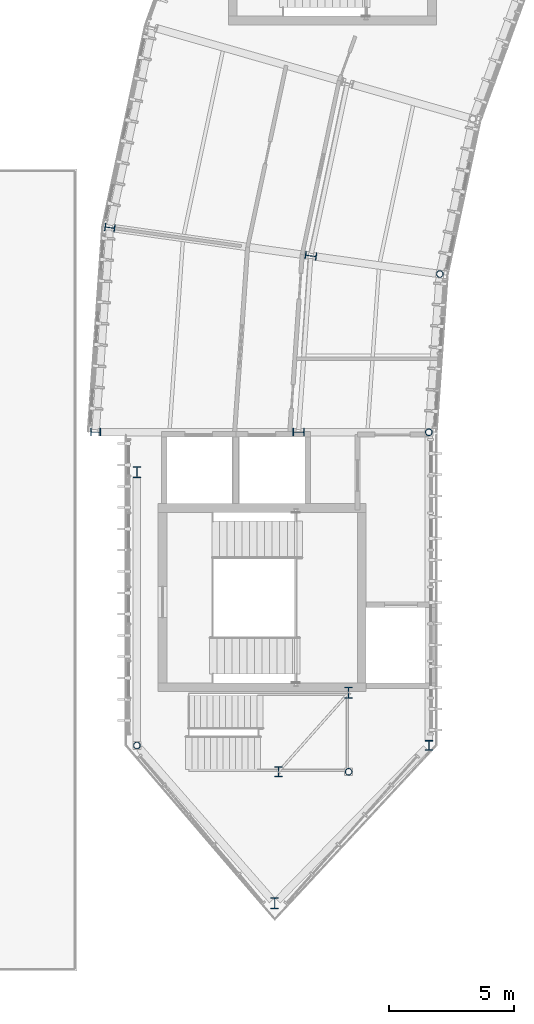
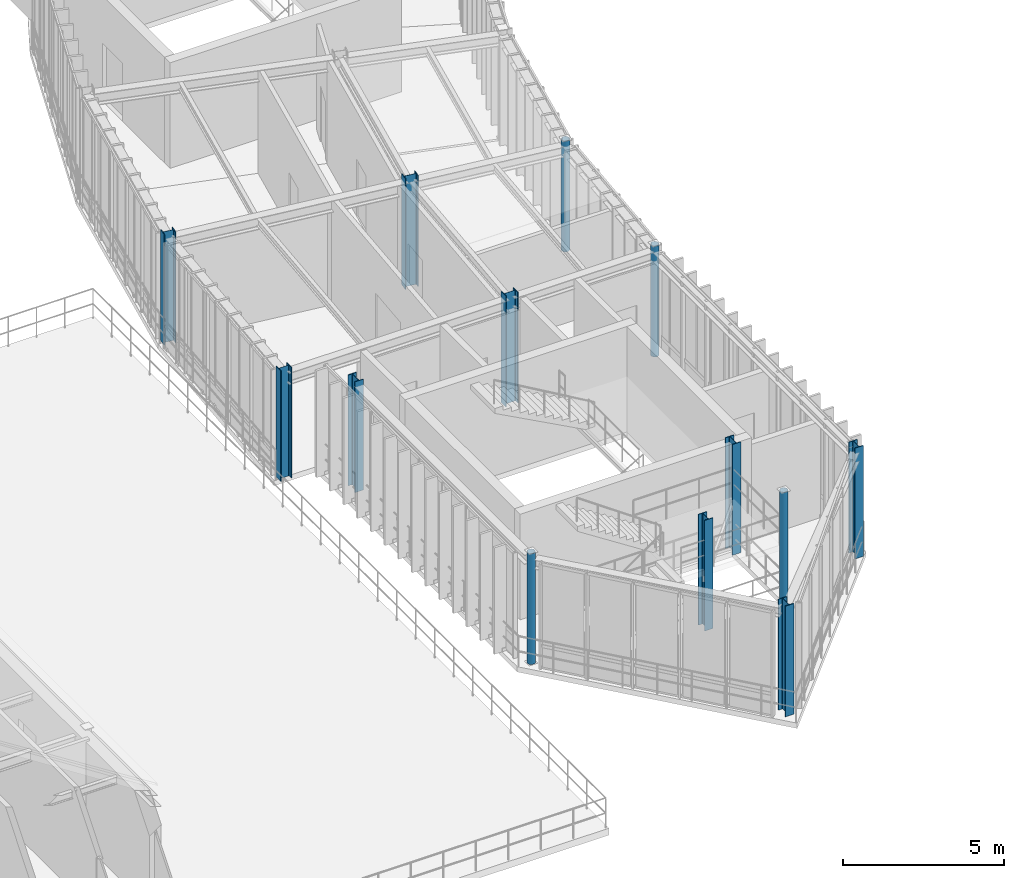
# One storey, part 2 of 52: 13 columns.
"""IFC4 building model written with IfcOpenShell, lengths in metres."""

from ifc_helpers import new_model, si_unit, direction, frame, origin, origin_2d, place, context, subcontext, project, spatial, hollow_circle, i_section, extrude, material, material_profile, profile_set, type_object, element, save


model = new_model("IFC4")

# Units and contexts
model_context = context("Model", 3, precision=1e-05, world=origin(), true_north=direction((0.0, 1.0)))
body_context = subcontext(model_context, "Body", "Model", "MODEL_VIEW")
ifc_project = project(units=[si_unit("LENGTHUNIT", "METRE"), si_unit("AREAUNIT", "SQUARE_METRE"), si_unit("VOLUMEUNIT", "CUBIC_METRE"), si_unit("PLANEANGLEUNIT", "RADIAN"), si_unit("MASSUNIT", "GRAM", prefix="KILO"), si_unit("THERMODYNAMICTEMPERATUREUNIT", "KELVIN"), si_unit("POWERUNIT", "WATT")], contexts=[model_context])

# Site, building, storey
site_placement = place(None, origin())
site = spatial("IfcSite", under=ifc_project, at=site_placement, CompositionType="ELEMENT")
building_placement = place(site_placement, origin())
building = spatial("IfcBuilding", under=site, at=building_placement, Name="Solvatero Civic Police Headquarters", CompositionType="ELEMENT")
storey_placement = place(building_placement, frame((0.0, 0.0, 13.5)))
storey = spatial("IfcBuildingStorey", under=building, at=storey_placement, Name="L03", CompositionType="ELEMENT", Elevation=13.5)

# Columns
ifc_material = material(Name="Steel S355", Category="steel")
ifc_material_profile_1 = material_profile(ifc_material, hollow_circle(Radius=0.136474609375, WallThickness=0.012451171875, at=origin_2d()), Name="CHS 273.0x12.5")
ifc_profile_set_1 = profile_set([ifc_material_profile_1], Name="Steel S355")
column_type_1 = type_object("IfcColumnType", Name="COL-ST-CHS273", PredefinedType="COLUMN", material=ifc_profile_set_1)
for number, where, z_axis, x_axis, name in (
    (1, (49.09130859375, 32.3115234375, 0.0), (0.0, 0.0, 1.0), (0.13917310096, 0.990268068742, 0.0), "Column ARC-S11-IN L03"),
    (2, (48.64990234375, 26.0, 0.0), (0.0, 0.0, 1.0), (0.0, 1.0, 0.0), "Column ARC-S12-IN L03"),
    (3, (37.0, 13.5, 0.0), (0.0, 0.0, 1.0), (1.0, 0.0, 0.0), "Column PROW-SW L03"),
    (4, (45.449951171875, 12.449951171875, 0.0), (0.0, 0.0, 1.0), (1.0, 0.0, 0.0), "Column PRWS2 L03"),
):
    element("IfcColumn", number, at=place(storey_placement, frame(where, z_axis=z_axis, x_axis=x_axis)), inside=storey, type_object=column_type_1, Name=name, PredefinedType="COLUMN", context=body_context, shape_type="SweptSolid", body=[
        extrude(hollow_circle(Radius=0.136474609375, WallThickness=0.012451171875, at=origin_2d()), origin(), (0.0, 0.0, 1.0), 4.199951171875),
    ])
ifc_material_profile_2 = material_profile(ifc_material, i_section(OverallWidth=0.300048828125, OverallDepth=0.39990234375, WebThickness=0.013427734375, FlangeThickness=0.02392578125, FilletRadius=0.027099609375, at=origin_2d()), Name="HEB 400")
ifc_profile_set_2 = profile_set([ifc_material_profile_2], Name="Steel S355")
column_type_2 = type_object("IfcColumnType", Name="COL-ST-HEB400", PredefinedType="COLUMN", material=ifc_profile_set_2)
for number, where, z_axis, x_axis, name in (
    (5, (35.9208984375, 34.16259765625, 0.0), (0.0, 0.0, 1.0), (0.13917310096, 0.990268068742, 0.0), "Column ARC-S11-OUT L03"),
    (6, (35.35009765625, 26.0, 0.0), (0.0, 0.0, 1.0), (0.0, 1.0, 0.0), "Column ARC-S12-OUT L03"),
    (7, (48.64990234375, 13.5, 0.0), (0.0, 0.0, 1.0), (1.0, 0.0, 0.0), "Column PROW-SE L03"),
    (8, (42.64990234375, 12.449951171875, 0.0), (0.0, 0.0, 1.0), (1.0, 0.0, 0.0), "Column PRWS1 L03"),
):
    element("IfcColumn", number, at=place(storey_placement, frame(where, z_axis=z_axis, x_axis=x_axis)), inside=storey, type_object=column_type_2, Name=name, PredefinedType="COLUMN", context=body_context, shape_type="SweptSolid", body=[
        extrude(i_section(OverallWidth=0.300048828125, OverallDepth=0.39990234375, WebThickness=0.013427734375, FlangeThickness=0.02392578125, FilletRadius=0.027099609375, at=origin_2d()), origin(), (0.0, 0.0, 1.0), 4.199951171875),
    ])
ifc_material_profile_3 = material_profile(ifc_material, i_section(OverallWidth=0.300048828125, OverallDepth=0.449951171875, WebThickness=0.013916015625, FlangeThickness=0.02587890625, FilletRadius=0.027099609375, at=origin_2d()), Name="HEB 450")
ifc_profile_set_3 = profile_set([ifc_material_profile_3], Name="Steel S355")
column_type_3 = type_object("IfcColumnType", Name="COL-ST-HEB450", PredefinedType="COLUMN", material=ifc_profile_set_3)
for number, where, z_axis, x_axis, name in (
    (9, (43.94189453125, 33.03515625, 0.0), (0.0, 0.0, 1.0), (0.13917310096, 0.990268068742, 0.0), "Column ARC-S11-MID L03"),
    (10, (43.449951171875, 26.0, 0.0), (0.0, 0.0, 1.0), (0.0, 1.0, 0.0), "Column ARC-S12-MID L03"),
    (11, (37.0, 24.39990234375, 0.0), (0.0, 0.0, 1.0), (1.0, 0.0, 0.0), "Column PROW-NW L03"),
    (12, (42.5, 7.199951171875, 0.0), (0.0, 0.0, 1.0), (1.0, 0.0, 0.0), "Column PROW-TIP L03"),
    (13, (45.449951171875, 15.60009765625, 0.0), (0.0, 0.0, 1.0), (1.0, 0.0, 0.0), "Column PRWS3 L03"),
):
    element("IfcColumn", number, at=place(storey_placement, frame(where, z_axis=z_axis, x_axis=x_axis)), inside=storey, type_object=column_type_3, Name=name, PredefinedType="COLUMN", context=body_context, shape_type="SweptSolid", body=[
        extrude(i_section(OverallWidth=0.300048828125, OverallDepth=0.449951171875, WebThickness=0.013916015625, FlangeThickness=0.02587890625, FilletRadius=0.027099609375, at=origin_2d()), origin(), (0.0, 0.0, 1.0), 4.199951171875),
    ])

save(model, "model.ifc")
